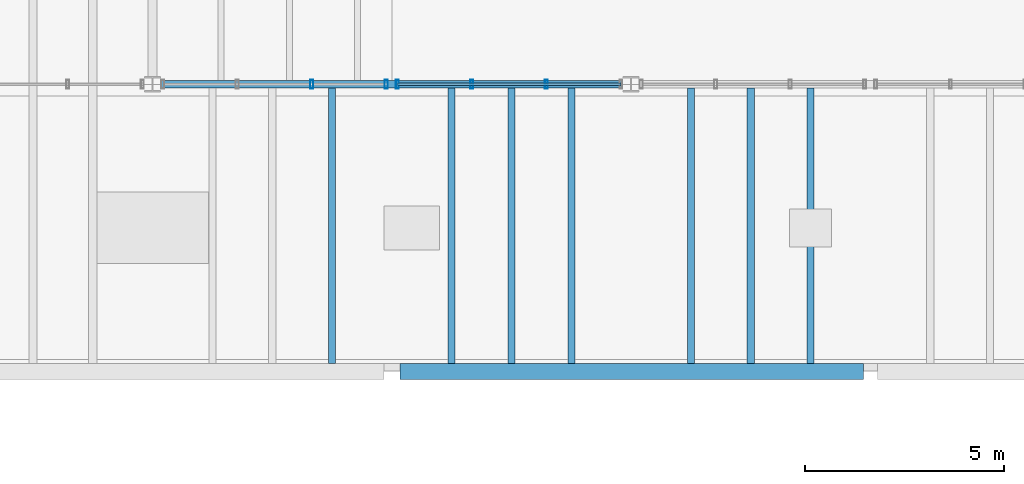
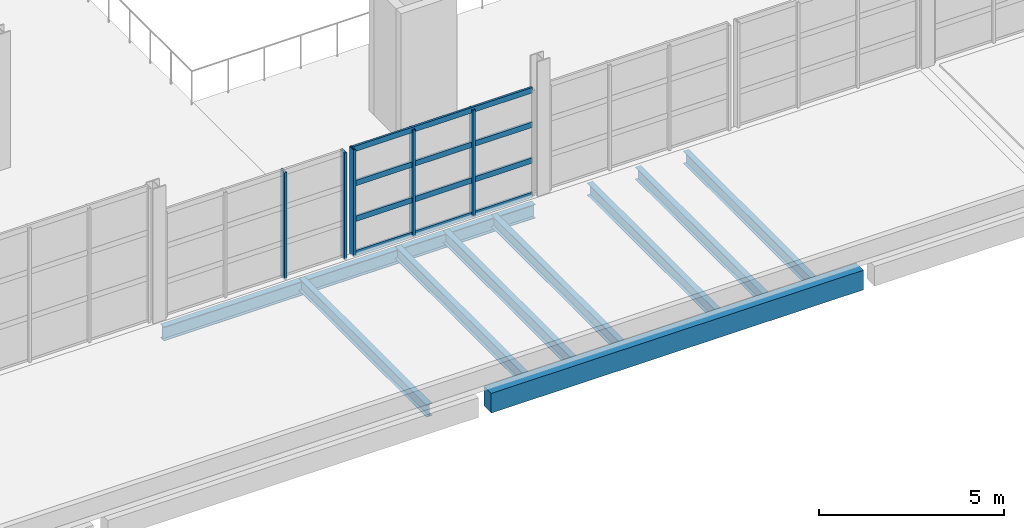
# One storey, part 30 of 114: 9 beams, 9 members, 2 elements without a shape of their own.
"""IFC4 building model written with IfcOpenShell, lengths in metres."""

from ifc_helpers import new_model, si_unit, direction, frame, origin, origin_2d, place, context, subcontext, project, spatial, rectangle, hollow_rectangle, i_section, extrude, material, material_profile, profile_set, type_object, element, aggregate, save


model = new_model("IFC4")

# Units and contexts
model_context = context("Model", 3, precision=1e-05, world=origin(), true_north=direction((0.0, 1.0)))
body_context = subcontext(model_context, "Body", "Model", "MODEL_VIEW")
ifc_project = project(units=[si_unit("LENGTHUNIT", "METRE"), si_unit("AREAUNIT", "SQUARE_METRE"), si_unit("VOLUMEUNIT", "CUBIC_METRE"), si_unit("PLANEANGLEUNIT", "RADIAN"), si_unit("MASSUNIT", "GRAM", prefix="KILO")], contexts=[model_context])

# Site, building, storey
site_placement = place(None, origin())
site = spatial("IfcSite", under=ifc_project, at=site_placement, CompositionType="ELEMENT")
building_placement = place(site_placement, origin())
building = spatial("IfcBuilding", under=site, at=building_placement, Name="Kelmvaro Bay Concert Hall", CompositionType="ELEMENT")
storey_placement = place(building_placement, frame((0.0, 0.0, 4.800048828125)))
storey = spatial("IfcBuildingStorey", under=building, at=storey_placement, Name="L01", CompositionType="ELEMENT", Elevation=4.800048828125)

# Beams
ifc_material_1 = material(Name="Concrete C40/50", Category="concrete")
ifc_material_profile_1 = material_profile(ifc_material_1, rectangle(XDim=0.39990234375, YDim=0.64990234375, at=origin_2d()), Name="RC-BM-400X650")
ifc_profile_set_1 = profile_set([ifc_material_profile_1], Name="Concrete C40/50")
beam_type_1 = type_object("IfcBeamType", Name="Canopy Edge Concrete Beam RC400x650", PredefinedType="BEAM", material=ifc_profile_set_1)
beam_1_placement = place(storey_placement, frame((66.199951171875, 0.0, -0.43505859375), z_axis=(1.0, 0.0, 0.0), x_axis=(0.0, 1.0, 0.0)))
element("IfcBeam", 1, at=beam_1_placement, inside=storey, type_object=beam_type_1, Name="L01 Girder BM-L01-EW-0007", PredefinedType="BEAM", context=body_context, shape_type="SweptSolid", body=[
    extrude(rectangle(XDim=0.39990234375, YDim=0.64990234375, at=origin_2d()), origin(), (0.0, 0.0, 1.0), 11.625),
])
ifc_material_2 = material(Name="Steel ASTM A992 Grade 50", Category="steel")
ifc_material_profile_2 = material_profile(ifc_material_2, i_section(OverallWidth=0.19189453125, OverallDepth=0.4619140625, WebThickness=0.010498046875, FlangeThickness=0.017578125, at=origin_2d()), Name="W18X60")
ifc_profile_set_2 = profile_set([ifc_material_profile_2], Name="Steel ASTM A992 Grade 50")
beam_type_2 = type_object("IfcBeamType", Name="Canopy Primary Frame Beam W18x60", PredefinedType="BEAM", material=ifc_profile_set_2)
beam_2_placement = place(storey_placement, frame((60.199462890625, 7.199951171875, -0.48095703125), z_axis=(1.0, 0.0, 0.0), x_axis=(0.0, 1.0, 0.0)))
element("IfcBeam", 2, at=beam_2_placement, inside=storey, type_object=beam_type_2, Name="L01 Girder BM-L01-EW-0011", PredefinedType="BEAM", context=body_context, shape_type="SweptSolid", body=[
    extrude(i_section(OverallWidth=0.19189453125, OverallDepth=0.4619140625, WebThickness=0.010498046875, FlangeThickness=0.017578125, at=origin_2d()), origin(), (0.0, 0.0, 1.0), 11.60107421875),
])
ifc_material_3 = material(Name="Steel ASTM A992 Grade 50", Category="steel")
ifc_material_profile_3 = material_profile(ifc_material_3, i_section(OverallWidth=0.177978515625, OverallDepth=0.404052734375, WebThickness=0.007568359375, FlangeThickness=0.010986328125, at=origin_2d()), Name="W16X36")
ifc_profile_set_3 = profile_set([ifc_material_profile_3], Name="Steel ASTM A992 Grade 50")
beam_type_3 = type_object("IfcBeamType", Name="Canopy Roof Joist W16x36", PredefinedType="JOIST", material=ifc_profile_set_3)
for number, where, z_axis, x_axis, name in (
    (3, (64.5, 0.199951171875, -0.31201171875), (0.0, 1.0, 0.0), (-1.0, 0.0, 0.0), "L01 Floor Joist JST-L01-0236"),
    (4, (67.5, 0.199951171875, -0.31201171875), (0.0, 1.0, 0.0), (-1.0, 0.0, 0.0), "L01 Floor Joist JST-L01-0240"),
    (5, (69.0, 0.199951171875, -0.31201171875), (0.0, 1.0, 0.0), (-1.0, 0.0, 0.0), "L01 Floor Joist JST-L01-0241"),
    (6, (70.5, 0.199951171875, -0.31201171875), (0.0, 1.0, 0.0), (-1.0, 0.0, 0.0), "L01 Floor Joist JST-L01-0242"),
    (7, (73.5, 0.199951171875, -0.31201171875), (0.0, 1.0, 0.0), (-1.0, 0.0, 0.0), "L01 Floor Joist JST-L01-0243"),
    (8, (75.0, 0.199951171875, -0.31201171875), (0.0, 1.0, 0.0), (-1.0, 0.0, 0.0), "L01 Floor Joist JST-L01-0244"),
    (9, (76.5, 0.199951171875, -0.31201171875), (0.0, 1.0, 0.0), (-1.0, 0.0, 0.0), "L01 Floor Joist JST-L01-0245"),
):
    element("IfcBeam", number, at=place(storey_placement, frame(where, z_axis=z_axis, x_axis=x_axis)), inside=storey, type_object=beam_type_3, Name=name, PredefinedType="JOIST", context=body_context, shape_type="SweptSolid", body=[
        extrude(i_section(OverallWidth=0.177978515625, OverallDepth=0.404052734375, WebThickness=0.007568359375, FlangeThickness=0.010986328125, at=origin_2d()), origin(), (0.0, 0.0, 1.0), 6.904052734375),
    ])

# Curtain wall, members
ifc_material_4 = material(Name="Anodised Aluminium and Low-E Insulated Glazing", Category="aluminium")
curtain_wall_type = type_object("IfcCurtainWallType", Name="Mezzanine Concourse Curtain Wall 4100", PredefinedType="USERDEFINED", material=ifc_material_4)
curtain_wall_1_placement = place(storey_placement, origin())
curtain_wall_1 = element("IfcCurtainWall", 10, at=curtain_wall_1_placement, inside=storey, type_object=curtain_wall_type, Name="Unitised Curtain Wall CW-L01-057", ObjectType="UNITISED GLAZING", PredefinedType="USERDEFINED")
ifc_material_5 = material(Name="Anodised Extruded Aluminium 6063-T6", Category="aluminium")
ifc_material_profile_4 = material_profile(ifc_material_5, hollow_rectangle(XDim=0.074951171875, YDim=0.219970703125, WallThickness=0.00439453125, at=origin_2d()), Name="ALU-MUL-220X75")
ifc_profile_set_4 = profile_set([ifc_material_profile_4], Name="Anodised Extruded Aluminium 6063-T6")
member_type_1 = type_object("IfcMemberType", Name="Curtain Mullion Heavy ALU 220x75", PredefinedType="MULLION", material=ifc_profile_set_4)
member_1_placement = place(storey_placement, frame((65.860107421875, 7.199951171875, 0.0), z_axis=(0.0, 0.0, 1.0), x_axis=(1.0, 0.0, 0.0)))
member_1 = element("IfcMember", 11, at=member_1_placement, type_object=member_type_1, Name="CW-L01-057 Mullion 01", PredefinedType="MULLION", context=body_context, shape_type="SweptSolid", body=[
    extrude(hollow_rectangle(XDim=0.074951171875, YDim=0.219970703125, WallThickness=0.00439453125, at=origin_2d()), origin(), (0.0, 0.0, 1.0), 3.536865234375),
])
member_2_placement = place(storey_placement, frame((63.991455078125, 7.199951171875, 0.0), z_axis=(0.0, 0.0, 1.0), x_axis=(1.0, 0.0, 0.0)))
member_2 = element("IfcMember", 12, at=member_2_placement, type_object=member_type_1, Name="CW-L01-057 Mullion 02", PredefinedType="MULLION", context=body_context, shape_type="SweptSolid", body=[
    extrude(hollow_rectangle(XDim=0.074951171875, YDim=0.219970703125, WallThickness=0.00439453125, at=origin_2d()), origin(), (0.0, 0.0, 1.0), 3.536865234375),
])
aggregate(curtain_wall_1, [member_1, member_2])

curtain_wall_2_placement = place(storey_placement, origin())
curtain_wall_2 = element("IfcCurtainWall", 13, at=curtain_wall_2_placement, inside=storey, type_object=curtain_wall_type, Name="Unitised Curtain Wall CW-L01-058", ObjectType="UNITISED GLAZING", PredefinedType="USERDEFINED")
member_3_placement = place(storey_placement, frame((69.876953125, 7.199951171875, 0.0), z_axis=(0.0, 0.0, 1.0), x_axis=(1.0, 0.0, 0.0)))
member_3 = element("IfcMember", 14, at=member_3_placement, type_object=member_type_1, Name="CW-L01-058 Mullion 02", PredefinedType="MULLION", context=body_context, shape_type="SweptSolid", body=[
    extrude(hollow_rectangle(XDim=0.074951171875, YDim=0.219970703125, WallThickness=0.00439453125, at=origin_2d()), origin(), (0.0, 0.0, 1.0), 3.536865234375),
])
member_4_placement = place(storey_placement, frame((68.008544921875, 7.199951171875, 0.0), z_axis=(0.0, 0.0, 1.0), x_axis=(1.0, 0.0, 0.0)))
member_4 = element("IfcMember", 15, at=member_4_placement, type_object=member_type_1, Name="CW-L01-058 Mullion 03", PredefinedType="MULLION", context=body_context, shape_type="SweptSolid", body=[
    extrude(hollow_rectangle(XDim=0.074951171875, YDim=0.219970703125, WallThickness=0.00439453125, at=origin_2d()), origin(), (0.0, 0.0, 1.0), 3.536865234375),
])
member_5_placement = place(storey_placement, frame((66.139892578125, 7.199951171875, 0.0), z_axis=(0.0, 0.0, 1.0), x_axis=(1.0, 0.0, 0.0)))
member_5 = element("IfcMember", 16, at=member_5_placement, type_object=member_type_1, Name="CW-L01-058 Mullion 04", PredefinedType="MULLION", context=body_context, shape_type="SweptSolid", body=[
    extrude(hollow_rectangle(XDim=0.074951171875, YDim=0.219970703125, WallThickness=0.00439453125, at=origin_2d()), origin(), (0.0, 0.0, 1.0), 3.536865234375),
])
ifc_material_6 = material(Name="Anodised Extruded Aluminium 6063-T6", Category="aluminium")
ifc_material_profile_5 = material_profile(ifc_material_6, hollow_rectangle(XDim=0.06494140625, YDim=0.179931640625, WallThickness=0.00439453125, at=origin_2d()), Name="ALU-TRN-180X65")
ifc_profile_set_5 = profile_set([ifc_material_profile_5], Name="Anodised Extruded Aluminium 6063-T6")
member_type_2 = type_object("IfcMemberType", Name="Curtain Transom Heavy ALU 180x65", PredefinedType="USERDEFINED", material=ifc_profile_set_5)
member_6_placement = place(storey_placement, frame((71.74560546875, 7.199951171875, 0.0400390625), z_axis=(-1.0, 0.0, 0.0), x_axis=(0.0, -1.0, 0.0)))
member_6 = element("IfcMember", 17, at=member_6_placement, type_object=member_type_2, Name="CW-L01-058 Transom 01", ObjectType="TRANSOM", PredefinedType="USERDEFINED", context=body_context, shape_type="SweptSolid", body=[
    extrude(hollow_rectangle(XDim=0.06494140625, YDim=0.179931640625, WallThickness=0.00439453125, at=origin_2d()), origin(), (0.0, 0.0, 1.0), 5.605712890625),
])
member_7_placement = place(storey_placement, frame((71.74560546875, 7.199951171875, 1.178955078125), z_axis=(-1.0, 0.0, 0.0), x_axis=(0.0, -1.0, 0.0)))
member_7 = element("IfcMember", 18, at=member_7_placement, type_object=member_type_2, Name="CW-L01-058 Transom 02", ObjectType="TRANSOM", PredefinedType="USERDEFINED", context=body_context, shape_type="SweptSolid", body=[
    extrude(hollow_rectangle(XDim=0.06494140625, YDim=0.179931640625, WallThickness=0.00439453125, at=origin_2d()), origin(), (0.0, 0.0, 1.0), 5.605712890625),
])
member_8_placement = place(storey_placement, frame((71.74560546875, 7.199951171875, 2.35791015625), z_axis=(-1.0, 0.0, 0.0), x_axis=(0.0, -1.0, 0.0)))
member_8 = element("IfcMember", 19, at=member_8_placement, type_object=member_type_2, Name="CW-L01-058 Transom 03", ObjectType="TRANSOM", PredefinedType="USERDEFINED", context=body_context, shape_type="SweptSolid", body=[
    extrude(hollow_rectangle(XDim=0.06494140625, YDim=0.179931640625, WallThickness=0.00439453125, at=origin_2d()), origin(), (0.0, 0.0, 1.0), 5.605712890625),
])
member_9_placement = place(storey_placement, frame((71.74560546875, 7.199951171875, 3.4970703125), z_axis=(-1.0, 0.0, 0.0), x_axis=(0.0, -1.0, 0.0)))
member_9 = element("IfcMember", 20, at=member_9_placement, type_object=member_type_2, Name="CW-L01-058 Transom 04", ObjectType="TRANSOM", PredefinedType="USERDEFINED", context=body_context, shape_type="SweptSolid", body=[
    extrude(hollow_rectangle(XDim=0.06494140625, YDim=0.179931640625, WallThickness=0.00439453125, at=origin_2d()), origin(), (0.0, 0.0, 1.0), 5.605712890625),
])
aggregate(curtain_wall_2, [member_3, member_4, member_5, member_6, member_7, member_8, member_9])

save(model, "model.ifc")
